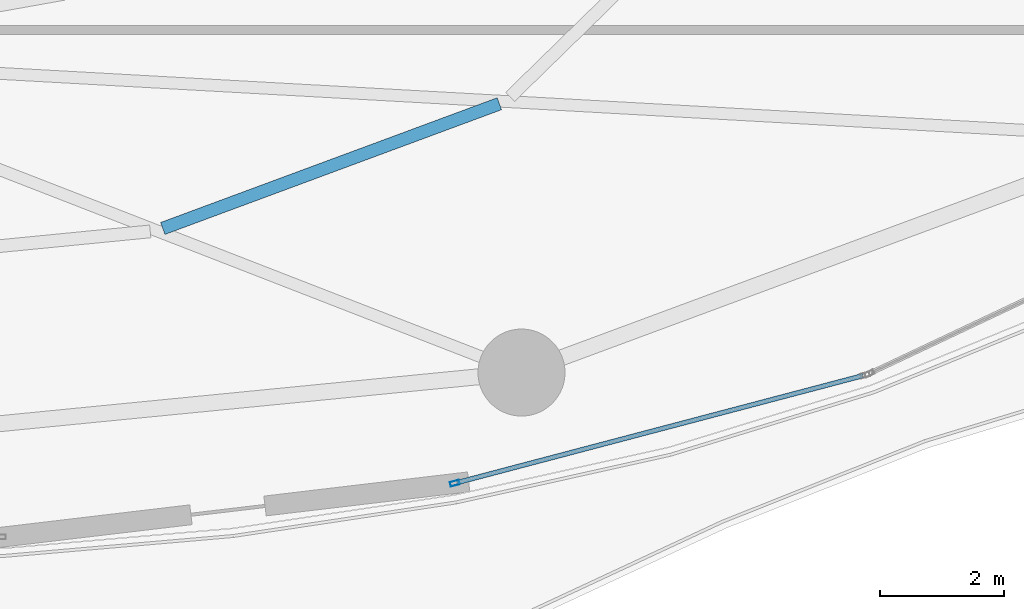
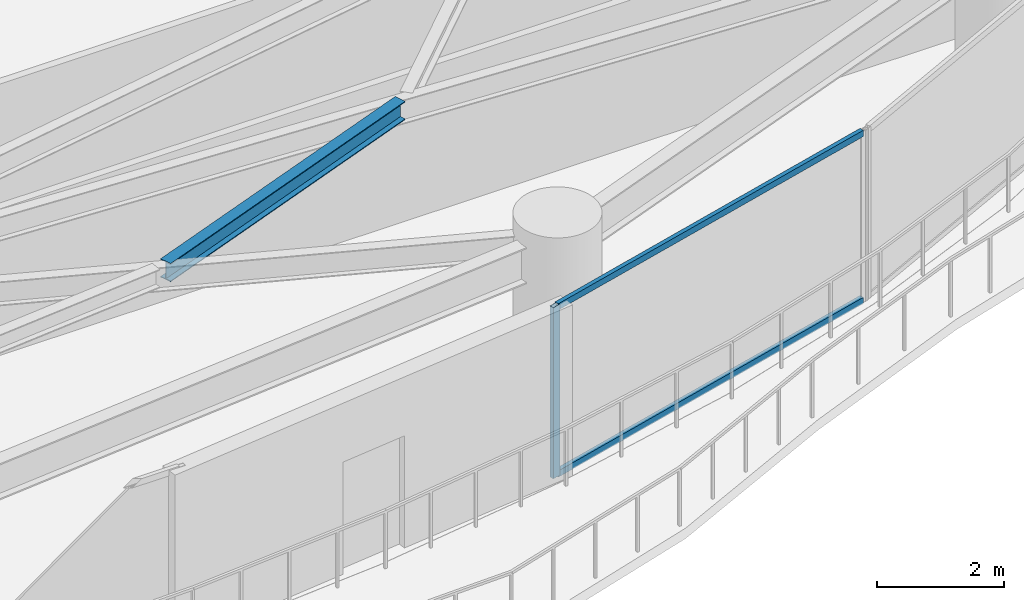
# One storey, part 12 of 30: 3 members, 1 beam, 1 element without a shape of its own.
"""IFC4 building model written with IfcOpenShell, lengths in metres."""

import ifcopenshell
import ifcopenshell.guid

model = None  # the IFC model being written
_history = None  # IfcOwnerHistory: only IFC2X3 demands one
_inside = {}  # id of a spatial element -> (the spatial element, [elements in it])
_under = {}  # id of a project, library or spatial element -> (it, [spatial elements below it])
_declared = {}  # id of a project -> (the project, [libraries it declares])
_typed = {}  # id of a type object -> (the type object, [elements of that type])
_made_of = {}  # id of a material, layer set ... -> (it, [elements and type objects made of it])


def new_model(schema):
    """Start an empty IFC model of exactly this schema.

    Asked for "IFC4X3", IfcOpenShell would pick the latest addendum, in which some entities
    have other attributes; the version numbers below select the first issue.
    IFC2X3 requires an IfcOwnerHistory on every rooted entity: one is made here for all.
    """
    global model, _history
    if schema == "IFC4X3":
        model = ifcopenshell.file(schema_version=(4, 3, 0, 0))
    else:
        model = ifcopenshell.file(schema=schema)
    _inside.clear()
    _under.clear()
    _declared.clear()
    _typed.clear()
    _made_of.clear()
    _history = None
    if model.schema == "IFC2X3":
        org = make("IfcOrganization", Name="unknown")
        user = make(
            "IfcPersonAndOrganization",
            ThePerson=make("IfcPerson", FamilyName="unknown"),
            TheOrganization=org,
        )
        app = make(
            "IfcApplication",
            ApplicationDeveloper=org,
            Version="unknown",
            ApplicationFullName="unknown",
            ApplicationIdentifier="unknown",
        )
        _history = make(
            "IfcOwnerHistory",
            OwningUser=user,
            OwningApplication=app,
            ChangeAction="ADDED",
            CreationDate=0,
        )
    return model


def make(cls, **values):
    """One entity of the class cls with the attributes given. An attribute that is None is left unset."""
    return model.create_entity(
        cls, **{name: value for name, value in values.items() if value is not None}
    )


def rooted(cls, **values):
    """An entity with a GlobalId (a new one), such as an element, a storey or a relation."""
    return make(cls, GlobalId=ifcopenshell.guid.new(), OwnerHistory=_history, **values)


def si_unit(unit_type, name, prefix=None):
    """IfcSIUnit, for example si_unit("LENGTHUNIT", "METRE", prefix="MILLI")."""
    return make("IfcSIUnit", UnitType=unit_type, Prefix=prefix, Name=name)


def assignment(units):
    """IfcUnitAssignment: the units of a project."""
    return None if units is None else make("IfcUnitAssignment", Units=units)


def point(xyz):
    """IfcCartesianPoint."""
    return None if xyz is None else make("IfcCartesianPoint", Coordinates=xyz)


def direction(xyz):
    """IfcDirection."""
    return None if xyz is None else make("IfcDirection", DirectionRatios=xyz)


def frame(location, z_axis=None, x_axis=None):
    """IfcAxis2Placement3D, a coordinate frame: its origin and axes. An axis left out is left unset."""
    return make(
        "IfcAxis2Placement3D",
        Location=point(location),
        Axis=direction(z_axis),
        RefDirection=direction(x_axis),
    )


def frame_2d(location, x_axis=None):
    """IfcAxis2Placement2D, a coordinate frame in the plane: its origin and x axis."""
    return make(
        "IfcAxis2Placement2D", Location=point(location), RefDirection=direction(x_axis)
    )


def origin():
    """The frame at (0, 0, 0) with its axes left unset."""
    return frame((0.0, 0.0, 0.0))


def origin_2d():
    """The frame at (0, 0) in the plane with its x axis left unset."""
    return frame_2d((0.0, 0.0))


def place(relative_to, where):
    """IfcLocalPlacement: puts the frame where relative to a parent placement (None: the world)."""
    return make(
        "IfcLocalPlacement", PlacementRelTo=relative_to, RelativePlacement=where
    )


def context(
    kind, dimensions, precision=None, world=None, true_north=None, identifier=None
):
    """IfcGeometricRepresentationContext, for example the 3D "Model" context."""
    return make(
        "IfcGeometricRepresentationContext",
        ContextIdentifier=identifier,
        ContextType=kind,
        CoordinateSpaceDimension=dimensions,
        Precision=precision,
        WorldCoordinateSystem=world,
        TrueNorth=true_north,
    )


def subcontext(parent, identifier, kind, view, scale=None):
    """IfcGeometricRepresentationSubContext, for example "Body" below "Model"."""
    return make(
        "IfcGeometricRepresentationSubContext",
        ContextIdentifier=identifier,
        ContextType=kind,
        ParentContext=parent,
        TargetScale=scale,
        TargetView=view,
    )


def project(units=None, contexts=None):
    """IfcProject with its units and contexts."""
    return rooted(
        "IfcProject",
        Name="project",
        RepresentationContexts=contexts,
        UnitsInContext=assignment(units),
    )


def spatial(cls, under=None, at=None, **own):
    """A site, building, storey or space (cls), placed at a placement, below another one or the project."""
    s = rooted(cls, ObjectPlacement=at, **own)
    if under is not None:
        _under.setdefault(under.id(), (under, []))[1].append(s)
    return s


def profile(cls, at=None, kind="AREA", **sizes):
    """A parametric profile (cls). Its sizes go by their IFC names, for example OverallWidth=200.0."""
    return make(cls, ProfileType=kind, Position=at, **sizes)


def hollow_rectangle(**sizes):
    """IfcRectangleHollowProfileDef."""
    return profile("IfcRectangleHollowProfileDef", **sizes)


def i_section(**sizes):
    """IfcIShapeProfileDef."""
    return profile("IfcIShapeProfileDef", **sizes)


def extrude(swept, where, along, depth):
    """IfcExtrudedAreaSolid: the profile swept, set in the frame where, extruded along a direction by depth."""
    return make(
        "IfcExtrudedAreaSolid",
        SweptArea=swept,
        Position=where,
        ExtrudedDirection=direction(along),
        Depth=depth,
    )


def shape(context_of_items, identifier, shape_type, items):
    """IfcShapeRepresentation: the items that make up one representation, for example the "Body"."""
    return make(
        "IfcShapeRepresentation",
        ContextOfItems=context_of_items,
        RepresentationIdentifier=identifier,
        RepresentationType=shape_type,
        Items=items,
    )


def material(Name=None, Category=None):
    """IfcMaterial."""
    return make("IfcMaterial", Name=Name, Category=Category)


def layer(
    of_material, thickness, ventilated=None, Name=None, Category=None, Priority=None
):
    """IfcMaterialLayer: one layer of a wall or slab, of a material (None: an air gap)."""
    return make(
        "IfcMaterialLayer",
        Material=of_material,
        LayerThickness=thickness,
        IsVentilated=ventilated,
        Name=Name,
        Category=Category,
        Priority=Priority,
    )


def layer_set(layers, Name=None):
    """IfcMaterialLayerSet."""
    return make("IfcMaterialLayerSet", MaterialLayers=layers, LayerSetName=Name)


def material_profile(
    of_material, cross_section, Name=None, Category=None, Priority=None
):
    """IfcMaterialProfile: a cross section and its material."""
    return make(
        "IfcMaterialProfile",
        Name=Name,
        Material=of_material,
        Profile=cross_section,
        Priority=Priority,
        Category=Category,
    )


def profile_set(profiles, Name=None, composite=None):
    """IfcMaterialProfileSet."""
    return make(
        "IfcMaterialProfileSet",
        Name=Name,
        MaterialProfiles=profiles,
        CompositeProfile=composite,
    )


def made_of(thing, what):
    """Note that an element or type object is made of a material, layer set ...; save() writes the relation."""
    if what is not None:
        _made_of.setdefault(what.id(), (what, []))[1].append(thing)
    return thing


def type_object(cls, material=None, **own):
    """A type object (cls), such as IfcWallType, which elements share."""
    return made_of(rooted(cls, **own), material)


def element(
    cls,
    number,
    at=None,
    inside=None,
    cuts=None,
    type_object=None,
    material=None,
    context=None,
    identifier="Body",
    shape_type=None,
    held_by="IfcProductDefinitionShape",
    body=None,
    shapes=None,
    **own,
):
    """One element of the class cls, such as IfcWall. Its Tag is "e" and its number.

    at: its placement. inside: the storey or other place that contains it. cuts: it is an
    opening in that element (IfcRelVoidsElement). A single representation is given by context,
    identifier, shape_type and body (its items); several are given by shapes. held_by: the class
    of the entity that holds the representations. save() writes the other relations.
    """
    e = rooted(cls, Tag="e%d" % number, ObjectPlacement=at, **own)
    if body is not None:
        shapes = [shape(context, identifier, shape_type, body)]
    if shapes is not None:
        e.Representation = make(held_by, Representations=shapes)
    if inside is not None:
        _inside.setdefault(inside.id(), (inside, []))[1].append(e)
    if cuts is not None:
        rooted(
            "IfcRelVoidsElement", RelatingBuildingElement=cuts, RelatedOpeningElement=e
        )
    if type_object is not None:
        _typed.setdefault(type_object.id(), (type_object, []))[1].append(e)
    return made_of(e, material)


def aggregate(whole, parts):
    """IfcRelAggregates: a whole, such as a stair, and the parts it consists of."""
    return rooted("IfcRelAggregates", RelatingObject=whole, RelatedObjects=parts)


def save(model, path):
    """Write the relations noted so far, then the file.

    IfcRelAggregates (storeys below a building ...), IfcRelContainedInSpatialStructure (elements
    in a storey), IfcRelDefinesByType, IfcRelAssociatesMaterial and IfcRelDeclares: one each for
    every whole, place, type object, material and project.
    """
    for whole, parts in _under.values():
        aggregate(whole, parts)
    for where, things in _inside.values():
        rooted(
            "IfcRelContainedInSpatialStructure",
            RelatedElements=things,
            RelatingStructure=where,
        )
    for kind, things in _typed.values():
        rooted("IfcRelDefinesByType", RelatedObjects=things, RelatingType=kind)
    for what, things in _made_of.values():
        rooted("IfcRelAssociatesMaterial", RelatedObjects=things, RelatingMaterial=what)
    for by, libraries in _declared.values():
        rooted("IfcRelDeclares", RelatingContext=by, RelatedDefinitions=libraries)
    model.write(path)


model = new_model("IFC4")

# Units and contexts
model_context = context("Model", 3, precision=1e-05, world=origin(), true_north=direction((0.0, 1.0)))
body_context = subcontext(model_context, "Body", "Model", "MODEL_VIEW")
ifc_project = project(units=[si_unit("LENGTHUNIT", "METRE"), si_unit("AREAUNIT", "SQUARE_METRE"), si_unit("VOLUMEUNIT", "CUBIC_METRE"), si_unit("PLANEANGLEUNIT", "RADIAN"), si_unit("MASSUNIT", "GRAM", prefix="KILO")], contexts=[model_context])

# Site, building, storey
site_placement = place(None, origin())
site = spatial("IfcSite", under=ifc_project, at=site_placement, CompositionType="ELEMENT")
building_placement = place(site_placement, origin())
building = spatial("IfcBuilding", under=site, at=building_placement, Name="Kazevale Care Tower and Concert Hall", CompositionType="ELEMENT")
storey_placement = place(building_placement, frame((0.0, 0.0, 88.800048828125)))
storey = spatial("IfcBuildingStorey", under=building, at=storey_placement, Name="L23", CompositionType="ELEMENT", Elevation=88.800048828125)

# Curtain wall, members
ifc_material_1 = material(Name="Aluminium 6063-T6 and Low-E Glass", Category="aluminium")
ifc_layer = layer(ifc_material_1, 0.179931640625)
ifc_layer_set = layer_set([ifc_layer], Name="Aluminium 6063-T6 and Low-E Glass")
curtain_wall_type = type_object("IfcCurtainWallType", Name="Sheltered Concave Balcony Curtain Wall CW-5", PredefinedType="NOTDEFINED", material=ifc_layer_set)
curtain_wall_placement = place(storey_placement, origin())
curtain_wall = element("IfcCurtainWall", 1, at=curtain_wall_placement, inside=storey, type_object=curtain_wall_type, Name="cw:L23:f04", PredefinedType="NOTDEFINED")
ifc_material_2 = material(Name="Aluminium 6063-T6", Category="aluminium")
ifc_material_profile_1 = material_profile(ifc_material_2, hollow_rectangle(XDim=0.074951171875, YDim=0.14990234375, WallThickness=0.00390625, at=origin_2d()), Name="ALU75x150x4")
ifc_profile_set_1 = profile_set([ifc_material_profile_1], Name="Aluminium 6063-T6")
member_type_1 = type_object("IfcMemberType", Name="CW-5 Mullion ALU75x150x4", PredefinedType="MULLION", material=ifc_profile_set_1)
member_1_placement = place(storey_placement, frame((55.96826171875, 16.75048828125, 0.0), z_axis=(0.0, 0.0, 1.0), x_axis=(0.254828630267, -0.966986230097, 0.0)))
member_1 = element("IfcMember", 2, at=member_1_placement, type_object=member_type_1, Name="CW-5 mullion 2", PredefinedType="MULLION", context=body_context, shape_type="SweptSolid", body=[
    extrude(hollow_rectangle(XDim=0.074951171875, YDim=0.14990234375, WallThickness=0.00390625, at=origin_2d()), origin(), (0.0, 0.0, 1.0), 3.280029296875),
])
ifc_material_profile_2 = material_profile(ifc_material_2, hollow_rectangle(XDim=0.074951171875, YDim=0.1201171875, WallThickness=0.00390625, at=origin_2d()), Name="ALU75x120x4")
ifc_profile_set_2 = profile_set([ifc_material_profile_2], Name="Aluminium 6063-T6")
member_type_2 = type_object("IfcMemberType", Name="CW-5 Transom ALU75x120x4", PredefinedType="USERDEFINED", material=ifc_profile_set_2)
member_2_placement = place(storey_placement, frame((62.530517578125, 18.47998046875, 0.037353515625), z_axis=(-0.966978405759, -0.254858319064, 0.0), x_axis=(0.254858319064, -0.966978405759, 0.0)))
member_2 = element("IfcMember", 3, at=member_2_placement, type_object=member_type_2, Name="CW-5 transom 1.1", ObjectType="TRANSOM", PredefinedType="USERDEFINED", context=body_context, shape_type="SweptSolid", body=[
    extrude(hollow_rectangle(XDim=0.074951171875, YDim=0.1201171875, WallThickness=0.00390625, at=origin_2d()), origin(), (0.0, 0.0, 1.0), 6.748779296875),
])
member_3_placement = place(storey_placement, frame((62.530517578125, 18.47998046875, 3.242431640625), z_axis=(-0.966978405759, -0.254858319064, 0.0), x_axis=(0.254858319064, -0.966978405759, 0.0)))
member_3 = element("IfcMember", 4, at=member_3_placement, type_object=member_type_2, Name="CW-5 transom 1.2", ObjectType="TRANSOM", PredefinedType="USERDEFINED", context=body_context, shape_type="SweptSolid", body=[
    extrude(hollow_rectangle(XDim=0.074951171875, YDim=0.1201171875, WallThickness=0.00390625, at=origin_2d()), origin(), (0.0, 0.0, 1.0), 6.748779296875),
])
aggregate(curtain_wall, [member_1, member_2, member_3])

# Beam
ifc_material_3 = material(Name="Steel ASTM A572 Gr 50", Category="steel")
ifc_material_profile_3 = material_profile(ifc_material_3, i_section(OverallWidth=0.205078125, OverallDepth=0.35400390625, WebThickness=0.009521484375, FlangeThickness=0.016845703125, at=origin_2d()), Name="W360x79")
ifc_profile_set_3 = profile_set([ifc_material_profile_3], Name="Steel ASTM A572 Gr 50")
beam_type = type_object("IfcBeamType", Name="Secondary Floor Joist W360x79", PredefinedType="JOIST", material=ifc_profile_set_3)
beam_placement = place(storey_placement, frame((51.27001953125, 20.847900390625, 3.10302734375), z_axis=(0.937698254396, 0.347450692477, 0.0), x_axis=(-0.347450692477, 0.937698254396, 0.0)))
element("IfcBeam", 5, at=beam_placement, inside=storey, type_object=beam_type, Name="beam:L23:joist:14", PredefinedType="JOIST", context=body_context, shape_type="SweptSolid", body=[
    extrude(i_section(OverallWidth=0.205078125, OverallDepth=0.35400390625, WebThickness=0.009521484375, FlangeThickness=0.016845703125, at=origin_2d()), origin(), (0.0, 0.0, 1.0), 5.773681640625),
])

save(model, "model.ifc")
